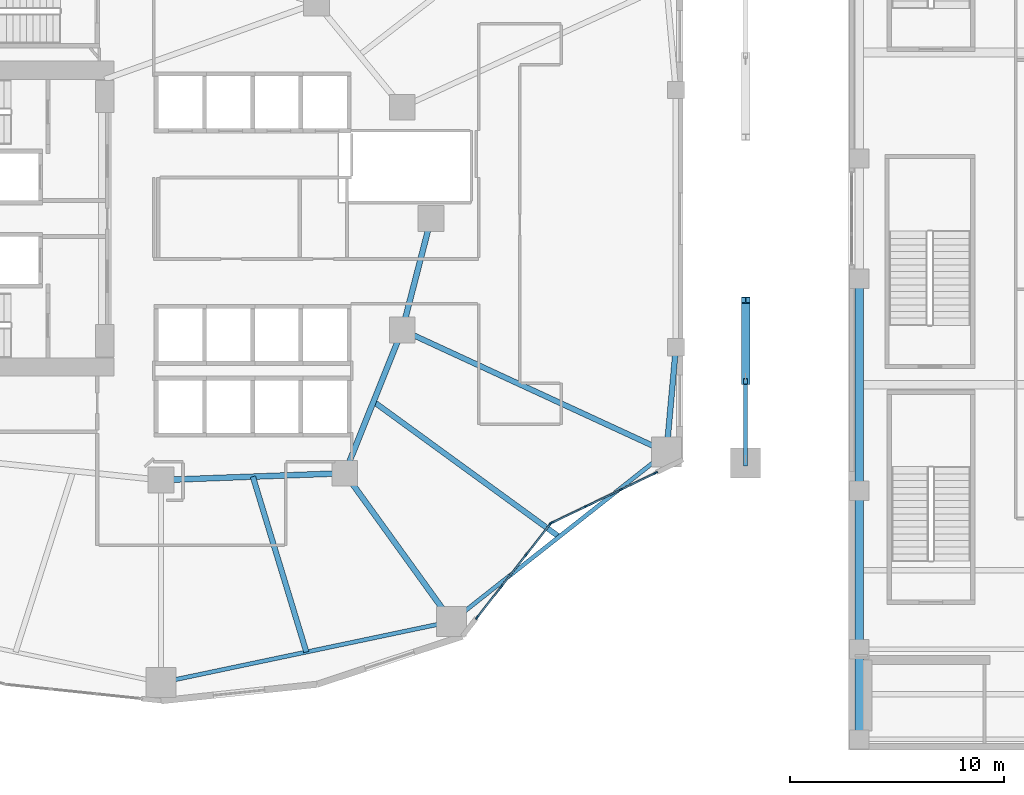
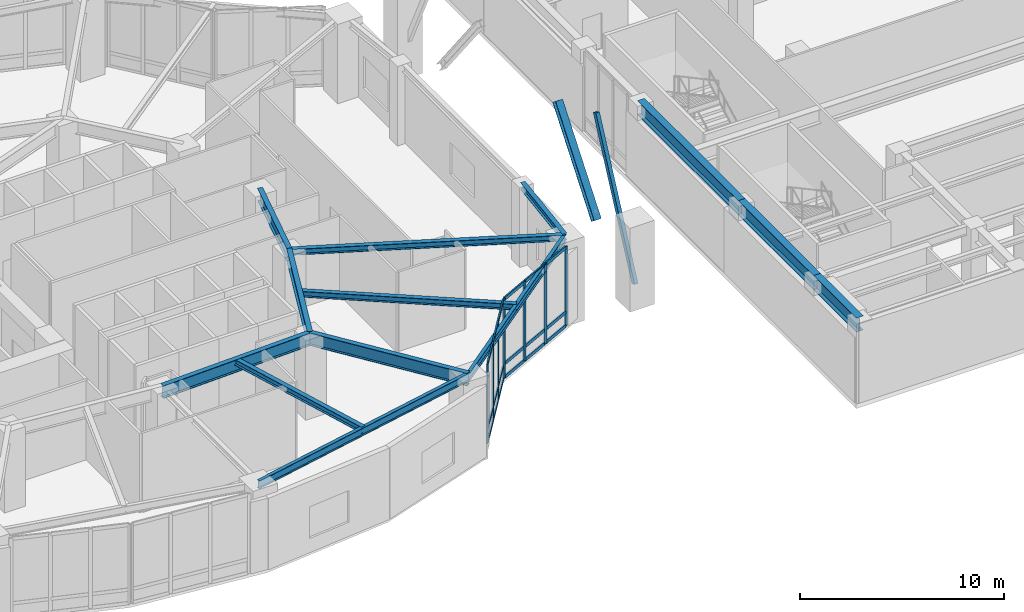
# One storey, part 4 of 24: 28 members, 13 beams, 2 elements without a shape of their own.
"""IFC4 building model written with IfcOpenShell, lengths in metres."""

from ifc_helpers import new_model, si_unit, direction, frame, origin, origin_2d, place, context, subcontext, project, spatial, rectangle, hollow_rectangle, i_section, extrude, material, layer, layer_set, material_profile, profile_set, type_object, element, aggregate, save


model = new_model("IFC4")

# Units and contexts
model_context = context("Model", 3, precision=1e-05, world=origin(), true_north=direction((0.0, 1.0)))
body_context = subcontext(model_context, "Body", "Model", "MODEL_VIEW")
ifc_project = project(units=[si_unit("LENGTHUNIT", "METRE"), si_unit("AREAUNIT", "SQUARE_METRE"), si_unit("VOLUMEUNIT", "CUBIC_METRE"), si_unit("PLANEANGLEUNIT", "RADIAN"), si_unit("MASSUNIT", "GRAM", prefix="KILO")], contexts=[model_context])

# Site, building, storey
site_placement = place(None, origin())
site = spatial("IfcSite", under=ifc_project, at=site_placement, CompositionType="ELEMENT")
building_placement = place(site_placement, origin())
building = spatial("IfcBuilding", under=site, at=building_placement, Name="Kolvaren Gate Tower and Convention Centre", CompositionType="ELEMENT")
storey_placement = place(building_placement, frame((0.0, 0.0, 10.0)))
storey = spatial("IfcBuildingStorey", under=building, at=storey_placement, Name="L02", CompositionType="ELEMENT", Elevation=10.0)

# Curtain wall, members
ifc_material_1 = material(Name="Anodized Architectural Aluminium Alloy 6063-T6", Category="aluminium")
ifc_layer = layer(ifc_material_1, 0.179931640625)
ifc_layer_set = layer_set([ifc_layer], Name="Anodized Architectural Aluminium Alloy 6063-T6")
curtain_wall_type = type_object("IfcCurtainWallType", Name="CW-POD-GLZ", PredefinedType="NOTDEFINED", material=ifc_layer_set)
curtain_wall_1_placement = place(storey_placement, origin())
curtain_wall_1 = element("IfcCurtainWall", 1, at=curtain_wall_1_placement, inside=storey, type_object=curtain_wall_type, Name="Tower L02 Unitised Curtain Wall CW-POD-GLZ Bay 20", PredefinedType="NOTDEFINED")
ifc_material_profile_1 = material_profile(ifc_material_1, rectangle(XDim=0.074951171875, YDim=0.199951171875, at=origin_2d()), Name="CW-MEM-MUL-200")
ifc_profile_set_1 = profile_set([ifc_material_profile_1], Name="Anodized Architectural Aluminium Alloy 6063-T6")
member_type_1 = type_object("IfcMemberType", Name="CW-MEM-MUL-200", PredefinedType="MULLION", material=ifc_profile_set_1)
member_1_placement = place(storey_placement, frame((44.8740234375, 8.39111328125, 0.0), z_axis=(0.0, 0.0, 1.0), x_axis=(-0.787413004527, 0.616425794643, 0.0)))
member_1 = element("IfcMember", 2, at=member_1_placement, type_object=member_type_1, Name="CW-01 mullion 1", PredefinedType="MULLION", context=body_context, shape_type="SweptSolid", body=[
    extrude(rectangle(XDim=0.074951171875, YDim=0.199951171875, at=origin_2d()), origin(), (0.0, 0.0, 1.0), 4.760009765625),
])
member_2_placement = place(storey_placement, frame((46.005615234375, 9.8369140625, 0.0), z_axis=(0.0, 0.0, 1.0), x_axis=(-0.787413004527, 0.616425794643, 0.0)))
member_2 = element("IfcMember", 3, at=member_2_placement, type_object=member_type_1, Name="CW-01 mullion 2", PredefinedType="MULLION", context=body_context, shape_type="SweptSolid", body=[
    extrude(rectangle(XDim=0.074951171875, YDim=0.199951171875, at=origin_2d()), origin(), (0.0, 0.0, 1.0), 4.760009765625),
])
member_3_placement = place(storey_placement, frame((47.160400390625, 11.31201171875, 0.0), z_axis=(0.0, 0.0, 1.0), x_axis=(-0.787413004527, 0.616425794643, 0.0)))
member_3 = element("IfcMember", 4, at=member_3_placement, type_object=member_type_1, Name="CW-01 mullion 3", PredefinedType="MULLION", context=body_context, shape_type="SweptSolid", body=[
    extrude(rectangle(XDim=0.074951171875, YDim=0.199951171875, at=origin_2d()), origin(), (0.0, 0.0, 1.0), 4.760009765625),
])
member_4_placement = place(storey_placement, frame((48.292236328125, 12.757568359375, 0.0), z_axis=(0.0, 0.0, 1.0), x_axis=(-0.787413004527, 0.616425794643, 0.0)))
member_4 = element("IfcMember", 5, at=member_4_placement, type_object=member_type_1, Name="CW-01 mullion 4", PredefinedType="MULLION", context=body_context, shape_type="SweptSolid", body=[
    extrude(rectangle(XDim=0.074951171875, YDim=0.199951171875, at=origin_2d()), origin(), (0.0, 0.0, 1.0), 4.760009765625),
])

curtain_wall_2_placement = place(storey_placement, origin())
curtain_wall_2 = element("IfcCurtainWall", 6, at=curtain_wall_2_placement, inside=storey, type_object=curtain_wall_type, Name="Tower L02 Unitised Curtain Wall CW-POD-GLZ Bay 21", PredefinedType="NOTDEFINED")
member_5_placement = place(storey_placement, frame((48.34912109375, 12.803466796875, 0.0), z_axis=(0.0, 0.0, 1.0), x_axis=(-0.433062688542, 0.90136380435, 0.0)))
member_5 = element("IfcMember", 7, at=member_5_placement, type_object=member_type_1, Name="CW-01 mullion 1", PredefinedType="MULLION", context=body_context, shape_type="SweptSolid", body=[
    extrude(rectangle(XDim=0.074951171875, YDim=0.199951171875, at=origin_2d()), origin(), (0.0, 0.0, 1.0), 4.760009765625),
])
member_6_placement = place(storey_placement, frame((49.955810546875, 13.575439453125, 0.0), z_axis=(0.0, 0.0, 1.0), x_axis=(-0.433062688542, 0.90136380435, 0.0)))
member_6 = element("IfcMember", 8, at=member_6_placement, type_object=member_type_1, Name="CW-01 mullion 2", PredefinedType="MULLION", context=body_context, shape_type="SweptSolid", body=[
    extrude(rectangle(XDim=0.074951171875, YDim=0.199951171875, at=origin_2d()), origin(), (0.0, 0.0, 1.0), 4.760009765625),
])
member_7_placement = place(storey_placement, frame((51.59619140625, 14.363525390625, 0.0), z_axis=(0.0, 0.0, 1.0), x_axis=(-0.433062688542, 0.90136380435, 0.0)))
member_7 = element("IfcMember", 9, at=member_7_placement, type_object=member_type_1, Name="CW-01 mullion 3", PredefinedType="MULLION", context=body_context, shape_type="SweptSolid", body=[
    extrude(rectangle(XDim=0.074951171875, YDim=0.199951171875, at=origin_2d()), origin(), (0.0, 0.0, 1.0), 4.760009765625),
])
member_8_placement = place(storey_placement, frame((53.202880859375, 15.135498046875, 0.0), z_axis=(0.0, 0.0, 1.0), x_axis=(-0.433062688542, 0.90136380435, 0.0)))
member_8 = element("IfcMember", 10, at=member_8_placement, type_object=member_type_1, Name="CW-01 mullion 4", PredefinedType="MULLION", context=body_context, shape_type="SweptSolid", body=[
    extrude(rectangle(XDim=0.074951171875, YDim=0.199951171875, at=origin_2d()), origin(), (0.0, 0.0, 1.0), 4.760009765625),
])

# Member
ifc_material_profile_2 = material_profile(ifc_material_1, rectangle(XDim=0.074951171875, YDim=0.199951171875, at=origin_2d()), Name="CW-MEM-TRN-200")
ifc_profile_set_2 = profile_set([ifc_material_profile_2], Name="Anodized Architectural Aluminium Alloy 6063-T6")
member_type_2 = type_object("IfcMemberType", Name="CW-MEM-TRN-200", PredefinedType="USERDEFINED", material=ifc_profile_set_2)
member_9_placement = place(storey_placement, frame((44.89697265625, 8.420654296875, 0.03759765625), z_axis=(0.616375545802, 0.787452339216, 0.0), x_axis=(-0.787452339216, 0.616375545802, 0.0)))
member_9 = element("IfcMember", 11, at=member_9_placement, type_object=member_type_2, Name="CW-01 transom 1.1", ObjectType="TRANSOM", PredefinedType="USERDEFINED", context=body_context, shape_type="SweptSolid", body=[
    extrude(rectangle(XDim=0.074951171875, YDim=0.199951171875, at=origin_2d()), origin(), (0.0, 0.0, 1.0), 1.760986328125),
])

member_10_placement = place(storey_placement, frame((44.89697265625, 8.420654296875, 0.85009765625), z_axis=(0.616375545802, 0.787452339216, 0.0), x_axis=(-0.787452339216, 0.616375545802, 0.0)))
member_10 = element("IfcMember", 12, at=member_10_placement, type_object=member_type_2, Name="CW-01 transom 1.2", ObjectType="TRANSOM", PredefinedType="USERDEFINED", context=body_context, shape_type="SweptSolid", body=[
    extrude(rectangle(XDim=0.074951171875, YDim=0.199951171875, at=origin_2d()), origin(), (0.0, 0.0, 1.0), 1.760986328125),
])

member_11_placement = place(storey_placement, frame((44.89697265625, 8.420654296875, 4.722412109375), z_axis=(0.616375545802, 0.787452339216, 0.0), x_axis=(-0.787452339216, 0.616375545802, 0.0)))
member_11 = element("IfcMember", 13, at=member_11_placement, type_object=member_type_2, Name="CW-01 transom 1.3", ObjectType="TRANSOM", PredefinedType="USERDEFINED", context=body_context, shape_type="SweptSolid", body=[
    extrude(rectangle(XDim=0.074951171875, YDim=0.199951171875, at=origin_2d()), origin(), (0.0, 0.0, 1.0), 1.760986328125),
])

member_12_placement = place(storey_placement, frame((46.02880859375, 9.866455078125, 0.03759765625), z_axis=(0.616465649316, 0.787381802694, 0.0), x_axis=(-0.787381802694, 0.616465649316, 0.0)))
member_12 = element("IfcMember", 14, at=member_12_placement, type_object=member_type_2, Name="CW-01 transom 2.1", ObjectType="TRANSOM", PredefinedType="USERDEFINED", context=body_context, shape_type="SweptSolid", body=[
    extrude(rectangle(XDim=0.074951171875, YDim=0.199951171875, at=origin_2d()), origin(), (0.0, 0.0, 1.0), 1.79833984375),
])

member_13_placement = place(storey_placement, frame((46.02880859375, 9.866455078125, 0.85009765625), z_axis=(0.616465649316, 0.787381802694, 0.0), x_axis=(-0.787381802694, 0.616465649316, 0.0)))
member_13 = element("IfcMember", 15, at=member_13_placement, type_object=member_type_2, Name="CW-01 transom 2.2", ObjectType="TRANSOM", PredefinedType="USERDEFINED", context=body_context, shape_type="SweptSolid", body=[
    extrude(rectangle(XDim=0.074951171875, YDim=0.199951171875, at=origin_2d()), origin(), (0.0, 0.0, 1.0), 1.79833984375),
])

member_14_placement = place(storey_placement, frame((46.02880859375, 9.866455078125, 4.722412109375), z_axis=(0.616465649316, 0.787381802694, 0.0), x_axis=(-0.787381802694, 0.616465649316, 0.0)))
member_14 = element("IfcMember", 16, at=member_14_placement, type_object=member_type_2, Name="CW-01 transom 2.3", ObjectType="TRANSOM", PredefinedType="USERDEFINED", context=body_context, shape_type="SweptSolid", body=[
    extrude(rectangle(XDim=0.074951171875, YDim=0.199951171875, at=origin_2d()), origin(), (0.0, 0.0, 1.0), 1.79833984375),
])

member_15_placement = place(storey_placement, frame((47.18359375, 11.341552734375, 0.03759765625), z_axis=(0.616442840137, 0.787399660175, 0.0), x_axis=(-0.787399660175, 0.616442840137, 0.0)))
member_15 = element("IfcMember", 17, at=member_15_placement, type_object=member_type_2, Name="CW-01 transom 3.1", ObjectType="TRANSOM", PredefinedType="USERDEFINED", context=body_context, shape_type="SweptSolid", body=[
    extrude(rectangle(XDim=0.074951171875, YDim=0.199951171875, at=origin_2d()), origin(), (0.0, 0.0, 1.0), 1.7607421875),
])

member_16_placement = place(storey_placement, frame((47.18359375, 11.341552734375, 0.85009765625), z_axis=(0.616442840137, 0.787399660175, 0.0), x_axis=(-0.787399660175, 0.616442840137, 0.0)))
member_16 = element("IfcMember", 18, at=member_16_placement, type_object=member_type_2, Name="CW-01 transom 3.2", ObjectType="TRANSOM", PredefinedType="USERDEFINED", context=body_context, shape_type="SweptSolid", body=[
    extrude(rectangle(XDim=0.074951171875, YDim=0.199951171875, at=origin_2d()), origin(), (0.0, 0.0, 1.0), 1.7607421875),
])

member_17_placement = place(storey_placement, frame((47.18359375, 11.341552734375, 4.722412109375), z_axis=(0.616442840137, 0.787399660175, 0.0), x_axis=(-0.787399660175, 0.616442840137, 0.0)))
member_17 = element("IfcMember", 19, at=member_17_placement, type_object=member_type_2, Name="CW-01 transom 3.3", ObjectType="TRANSOM", PredefinedType="USERDEFINED", context=body_context, shape_type="SweptSolid", body=[
    extrude(rectangle(XDim=0.074951171875, YDim=0.199951171875, at=origin_2d()), origin(), (0.0, 0.0, 1.0), 1.7607421875),
])

aggregate(curtain_wall_1, [member_1, member_2, member_3, member_4, member_9, member_10, member_11, member_12, member_13, member_14, member_15, member_16, member_17])

member_18_placement = place(storey_placement, frame((48.3828125, 12.819580078125, 0.03759765625), z_axis=(0.9013511863, 0.433088950397, 0.0), x_axis=(-0.433088950397, 0.9013511863, 0.0)))
member_18 = element("IfcMember", 20, at=member_18_placement, type_object=member_type_2, Name="CW-01 transom 1.1", ObjectType="TRANSOM", PredefinedType="USERDEFINED", context=body_context, shape_type="SweptSolid", body=[
    extrude(rectangle(XDim=0.074951171875, YDim=0.199951171875, at=origin_2d()), origin(), (0.0, 0.0, 1.0), 1.70751953125),
])

member_19_placement = place(storey_placement, frame((48.3828125, 12.819580078125, 0.85009765625), z_axis=(0.9013511863, 0.433088950397, 0.0), x_axis=(-0.433088950397, 0.9013511863, 0.0)))
member_19 = element("IfcMember", 21, at=member_19_placement, type_object=member_type_2, Name="CW-01 transom 1.2", ObjectType="TRANSOM", PredefinedType="USERDEFINED", context=body_context, shape_type="SweptSolid", body=[
    extrude(rectangle(XDim=0.074951171875, YDim=0.199951171875, at=origin_2d()), origin(), (0.0, 0.0, 1.0), 1.70751953125),
])

member_20_placement = place(storey_placement, frame((48.3828125, 12.819580078125, 4.722412109375), z_axis=(0.9013511863, 0.433088950397, 0.0), x_axis=(-0.433088950397, 0.9013511863, 0.0)))
member_20 = element("IfcMember", 22, at=member_20_placement, type_object=member_type_2, Name="CW-01 transom 1.3", ObjectType="TRANSOM", PredefinedType="USERDEFINED", context=body_context, shape_type="SweptSolid", body=[
    extrude(rectangle(XDim=0.074951171875, YDim=0.199951171875, at=origin_2d()), origin(), (0.0, 0.0, 1.0), 1.70751953125),
])

member_21_placement = place(storey_placement, frame((49.989501953125, 13.591552734375, 0.03759765625), z_axis=(0.901339603895, 0.433113055046, 0.0), x_axis=(-0.433113055046, 0.901339603895, 0.0)))
member_21 = element("IfcMember", 23, at=member_21_placement, type_object=member_type_2, Name="CW-01 transom 2.1", ObjectType="TRANSOM", PredefinedType="USERDEFINED", context=body_context, shape_type="SweptSolid", body=[
    extrude(rectangle(XDim=0.074951171875, YDim=0.199951171875, at=origin_2d()), origin(), (0.0, 0.0, 1.0), 1.7451171875),
])

member_22_placement = place(storey_placement, frame((49.989501953125, 13.591552734375, 0.85009765625), z_axis=(0.901339603895, 0.433113055046, 0.0), x_axis=(-0.433113055046, 0.901339603895, 0.0)))
member_22 = element("IfcMember", 24, at=member_22_placement, type_object=member_type_2, Name="CW-01 transom 2.2", ObjectType="TRANSOM", PredefinedType="USERDEFINED", context=body_context, shape_type="SweptSolid", body=[
    extrude(rectangle(XDim=0.074951171875, YDim=0.199951171875, at=origin_2d()), origin(), (0.0, 0.0, 1.0), 1.7451171875),
])

member_23_placement = place(storey_placement, frame((49.989501953125, 13.591552734375, 4.722412109375), z_axis=(0.901339603895, 0.433113055046, 0.0), x_axis=(-0.433113055046, 0.901339603895, 0.0)))
member_23 = element("IfcMember", 25, at=member_23_placement, type_object=member_type_2, Name="CW-01 transom 2.3", ObjectType="TRANSOM", PredefinedType="USERDEFINED", context=body_context, shape_type="SweptSolid", body=[
    extrude(rectangle(XDim=0.074951171875, YDim=0.199951171875, at=origin_2d()), origin(), (0.0, 0.0, 1.0), 1.7451171875),
])

member_24_placement = place(storey_placement, frame((51.630126953125, 14.3798828125, 0.03759765625), z_axis=(0.901406997018, 0.432972777121, 0.0), x_axis=(-0.432972777121, 0.901406997018, 0.0)))
member_24 = element("IfcMember", 26, at=member_24_placement, type_object=member_type_2, Name="CW-01 transom 3.1", ObjectType="TRANSOM", PredefinedType="USERDEFINED", context=body_context, shape_type="SweptSolid", body=[
    extrude(rectangle(XDim=0.074951171875, YDim=0.199951171875, at=origin_2d()), origin(), (0.0, 0.0, 1.0), 1.70751953125),
])

member_25_placement = place(storey_placement, frame((51.630126953125, 14.3798828125, 0.85009765625), z_axis=(0.901406997018, 0.432972777121, 0.0), x_axis=(-0.432972777121, 0.901406997018, 0.0)))
member_25 = element("IfcMember", 27, at=member_25_placement, type_object=member_type_2, Name="CW-01 transom 3.2", ObjectType="TRANSOM", PredefinedType="USERDEFINED", context=body_context, shape_type="SweptSolid", body=[
    extrude(rectangle(XDim=0.074951171875, YDim=0.199951171875, at=origin_2d()), origin(), (0.0, 0.0, 1.0), 1.70751953125),
])

member_26_placement = place(storey_placement, frame((51.630126953125, 14.3798828125, 4.722412109375), z_axis=(0.901406997018, 0.432972777121, 0.0), x_axis=(-0.432972777121, 0.901406997018, 0.0)))
member_26 = element("IfcMember", 28, at=member_26_placement, type_object=member_type_2, Name="CW-01 transom 3.3", ObjectType="TRANSOM", PredefinedType="USERDEFINED", context=body_context, shape_type="SweptSolid", body=[
    extrude(rectangle(XDim=0.074951171875, YDim=0.199951171875, at=origin_2d()), origin(), (0.0, 0.0, 1.0), 1.70751953125),
])

aggregate(curtain_wall_2, [member_5, member_6, member_7, member_8, member_18, member_19, member_20, member_21, member_22, member_23, member_24, member_25, member_26])

# Beams
ifc_material_2 = material(Name="Structural steel ASTM A992 Grade 345 MPa", Category="steel")
ifc_material_profile_3 = material_profile(ifc_material_2, i_section(OverallWidth=0.260986328125, OverallDepth=0.419921875, WebThickness=0.01171875, FlangeThickness=0.019287109375, at=origin_2d()), Name="W410X114")
ifc_profile_set_3 = profile_set([ifc_material_profile_3], Name="Structural steel ASTM A992 Grade 345 MPa")
beam_type_1 = type_object("IfcBeamType", Name="STR-BM-W410X114", PredefinedType="BEAM", material=ifc_profile_set_3)
beam_1_placement = place(storey_placement, frame((53.710205078125, 16.1064453125, 4.550048828125), z_axis=(0.089491797753, 0.995987559227, 0.0), x_axis=(-0.995987559227, 0.089491797753, 0.0)))
element("IfcBeam", 29, at=beam_1_placement, inside=storey, type_object=beam_type_1, Name="Tower L02 Recessed Arch Edge Spandrel AE-1", PredefinedType="BEAM", context=body_context, shape_type="SweptSolid", body=[
    extrude(i_section(OverallWidth=0.260986328125, OverallDepth=0.419921875, WebThickness=0.01171875, FlangeThickness=0.019287109375, at=origin_2d()), origin(), (0.0, 0.0, 1.0), 4.913330078125),
])
ifc_material_profile_4 = material_profile(ifc_material_2, i_section(OverallWidth=0.26806640625, OverallDepth=0.758056640625, WebThickness=0.016357421875, FlangeThickness=0.025390625, at=origin_2d()), Name="W760X220")
ifc_profile_set_4 = profile_set([ifc_material_profile_4], Name="Structural steel ASTM A992 Grade 345 MPa")
beam_type_2 = type_object("IfcBeamType", Name="STR-BM-W760X220", PredefinedType="BEAM", material=ifc_profile_set_4)
beam_2_placement = place(storey_placement, frame((42.72509765625, 27.0, 4.381103515625), z_axis=(-0.250091133936, -0.968222301296, 0.0), x_axis=(0.968222301296, -0.250091133936, 0.0)))
element("IfcBeam", 30, at=beam_2_placement, inside=storey, type_object=beam_type_2, Name="Tower L02 Primary Ring Girder G-01", PredefinedType="BEAM", context=body_context, shape_type="SweptSolid", body=[
    extrude(i_section(OverallWidth=0.26806640625, OverallDepth=0.758056640625, WebThickness=0.016357421875, FlangeThickness=0.025390625, at=origin_2d()), origin(), (0.0, 0.0, 1.0), 5.3701171875),
])
beam_3_placement = place(storey_placement, frame((30.125, 14.800048828125, 4.381103515625), z_axis=(0.999301712453, 0.037364254142, 0.0), x_axis=(-0.037364254142, 0.999301712453, 0.0)))
element("IfcBeam", 31, at=beam_3_placement, inside=storey, type_object=beam_type_2, Name="Tower L02 Primary Ring Girder G-08", PredefinedType="BEAM", context=body_context, shape_type="SweptSolid", body=[
    extrude(i_section(OverallWidth=0.26806640625, OverallDepth=0.758056640625, WebThickness=0.016357421875, FlangeThickness=0.025390625, at=origin_2d()), origin(), (0.0, 0.0, 1.0), 8.579345703125),
])
beam_4_placement = place(storey_placement, frame((38.6982421875, 15.12060546875, 4.381103515625), z_axis=(0.372811100169, 0.927907260232, 0.0), x_axis=(-0.927907260232, 0.372811100169, 0.0)))
element("IfcBeam", 32, at=beam_4_placement, inside=storey, type_object=beam_type_2, Name="Tower L02 Primary Ring Girder G-09", PredefinedType="BEAM", context=body_context, shape_type="SweptSolid", body=[
    extrude(i_section(OverallWidth=0.26806640625, OverallDepth=0.758056640625, WebThickness=0.016357421875, FlangeThickness=0.025390625, at=origin_2d()), origin(), (0.0, 0.0, 1.0), 7.198974609375),
])
beam_5_placement = place(storey_placement, frame((38.6982421875, 15.12060546875, 4.381103515625), z_axis=(0.585208374732, -0.810882949718, 0.0), x_axis=(0.810882949718, 0.585208374732, 0.0)))
element("IfcBeam", 33, at=beam_5_placement, inside=storey, type_object=beam_type_2, Name="Tower L02 Radial Floor Girder RB-11", PredefinedType="BEAM", context=body_context, shape_type="SweptSolid", body=[
    extrude(i_section(OverallWidth=0.26806640625, OverallDepth=0.758056640625, WebThickness=0.016357421875, FlangeThickness=0.025390625, at=origin_2d()), origin(), (0.0, 0.0, 1.0), 8.5302734375),
])
ifc_material_profile_5 = material_profile(ifc_material_2, i_section(OverallWidth=0.39990234375, OverallDepth=0.85498046875, WebThickness=0.018310546875, FlangeThickness=0.029296875, at=origin_2d()), Name="W840X299")
ifc_profile_set_5 = profile_set([ifc_material_profile_5], Name="Structural steel ASTM A992 Grade 345 MPa")
beam_type_3 = type_object("IfcBeamType", Name="STR-BM-W840X299", PredefinedType="BEAM", material=ifc_profile_set_5)
beam_6_placement = place(storey_placement, frame((62.699951171875, 2.699951171875, 4.33251953125), z_axis=(0.0, 1.0, 0.0), x_axis=(-1.0, 0.0, 0.0)))
element("IfcBeam", 34, at=beam_6_placement, inside=storey, type_object=beam_type_3, Name="Convention L02 Longitudinal Girder CG-11", PredefinedType="BEAM", context=body_context, shape_type="SweptSolid", body=[
    extrude(i_section(OverallWidth=0.39990234375, OverallDepth=0.85498046875, WebThickness=0.018310546875, FlangeThickness=0.029296875, at=origin_2d()), origin(), (0.0, 0.0, 1.0), 4.199951171875),
])
beam_7_placement = place(storey_placement, frame((62.699951171875, 6.89990234375, 4.33251953125), z_axis=(0.0, 1.0, 0.0), x_axis=(-1.0, 0.0, 0.0)))
element("IfcBeam", 35, at=beam_7_placement, inside=storey, type_object=beam_type_3, Name="Convention L02 Longitudinal Girder CG-12", PredefinedType="BEAM", context=body_context, shape_type="SweptSolid", body=[
    extrude(i_section(OverallWidth=0.39990234375, OverallDepth=0.85498046875, WebThickness=0.018310546875, FlangeThickness=0.029296875, at=origin_2d()), origin(), (0.0, 0.0, 1.0), 7.400146484375),
])
beam_8_placement = place(storey_placement, frame((62.699951171875, 14.300048828125, 4.33251953125), z_axis=(0.0, 1.0, 0.0), x_axis=(-1.0, 0.0, 0.0)))
element("IfcBeam", 36, at=beam_8_placement, inside=storey, type_object=beam_type_3, Name="Convention L02 Longitudinal Girder CG-13", PredefinedType="BEAM", context=body_context, shape_type="SweptSolid", body=[
    extrude(i_section(OverallWidth=0.39990234375, OverallDepth=0.85498046875, WebThickness=0.018310546875, FlangeThickness=0.029296875, at=origin_2d()), origin(), (0.0, 0.0, 1.0), 9.89990234375),
])

# Member
ifc_material_profile_6 = material_profile(ifc_material_2, i_section(OverallWidth=0.39501953125, OverallDepth=0.3798828125, WebThickness=0.018798828125, FlangeThickness=0.0302734375, at=origin_2d()), Name="W360X237")
ifc_profile_set_6 = profile_set([ifc_material_profile_6], Name="Structural steel ASTM A992 Grade 345 MPa")
member_type_3 = type_object("IfcMemberType", Name="STR-CH-W360X237", PredefinedType="CHORD", material=ifc_profile_set_6)
member_27_placement = place(storey_placement, frame((57.39990234375, 19.39990234375, 2.288818359375), z_axis=(0.0, 0.616493002987, 0.78736038589), x_axis=(-1.0, 0.0, 0.0)))
element("IfcMember", 37, at=member_27_placement, inside=storey, type_object=member_type_3, Name="Monumental East Portal Parabolic Arch Rib AR-02", PredefinedType="CHORD", context=body_context, shape_type="SweptSolid", body=[
    extrude(i_section(OverallWidth=0.39501953125, OverallDepth=0.3798828125, WebThickness=0.018798828125, FlangeThickness=0.0302734375, at=origin_2d()), origin(), (0.0, 0.0, 1.0), 6.1640625),
])

# Beams
ifc_material_profile_7 = material_profile(ifc_material_2, i_section(OverallWidth=0.2548828125, OverallDepth=0.35693359375, WebThickness=0.010498046875, FlangeThickness=0.018310546875, at=origin_2d()), Name="W360X101")
ifc_profile_set_7 = profile_set([ifc_material_profile_7], Name="Structural steel ASTM A992 Grade 345 MPa")
beam_type_4 = type_object("IfcBeamType", Name="STR-JS-W360X101", PredefinedType="JOIST", material=ifc_profile_set_7)
beam_9_placement = place(storey_placement, frame((41.382080078125, 21.800537109375, 4.58154296875), z_axis=(0.907842006347, -0.419312403241, 0.0), x_axis=(0.419312403241, 0.907842006347, 0.0)))
element("IfcBeam", 38, at=beam_9_placement, inside=storey, type_object=beam_type_4, Name="Tower L02 Radial Floor Girder RB-12", PredefinedType="JOIST", context=body_context, shape_type="SweptSolid", body=[
    extrude(i_section(OverallWidth=0.2548828125, OverallDepth=0.35693359375, WebThickness=0.010498046875, FlangeThickness=0.018310546875, at=origin_2d()), origin(), (0.0, 0.0, 1.0), 13.57958984375),
])
beam_10_placement = place(storey_placement, frame((34.41162109375, 14.960205078125, 4.58154296875), z_axis=(0.291750890749, -0.956494337541, 0.0), x_axis=(0.956494337541, 0.291750890749, 0.0)))
element("IfcBeam", 39, at=beam_10_placement, inside=storey, type_object=beam_type_4, Name="Tower L02 Secondary Composite Floor Joist J-10.1", PredefinedType="JOIST", context=body_context, shape_type="SweptSolid", body=[
    extrude(i_section(OverallWidth=0.2548828125, OverallDepth=0.35693359375, WebThickness=0.010498046875, FlangeThickness=0.018310546875, at=origin_2d()), origin(), (0.0, 0.0, 1.0), 8.5556640625),
])
beam_11_placement = place(storey_placement, frame((40.040283203125, 18.46044921875, 4.58154296875), z_axis=(0.808411716387, -0.588617445212, 0.0), x_axis=(0.588617445212, 0.808411716387, 0.0)))
element("IfcBeam", 40, at=beam_11_placement, inside=storey, type_object=beam_type_4, Name="Tower L02 Secondary Composite Floor Joist J-11.1", PredefinedType="JOIST", context=body_context, shape_type="SweptSolid", body=[
    extrude(i_section(OverallWidth=0.2548828125, OverallDepth=0.35693359375, WebThickness=0.010498046875, FlangeThickness=0.018310546875, at=origin_2d()), origin(), (0.0, 0.0, 1.0), 10.712158203125),
])
ifc_material_profile_8 = material_profile(ifc_material_2, i_section(OverallWidth=0.194091796875, OverallDepth=0.468994140625, WebThickness=0.0126953125, FlangeThickness=0.0205078125, at=origin_2d()), Name="W460X106")
ifc_profile_set_8 = profile_set([ifc_material_profile_8], Name="Structural steel ASTM A992 Grade 345 MPa")
beam_type_5 = type_object("IfcBeamType", Name="STR-SP-W460X106", PredefinedType="SPANDREL", material=ifc_profile_set_8)
beam_12_placement = place(storey_placement, frame((30.125, 5.35009765625, 4.525390625), z_axis=(0.978583407863, 0.205850707685, 0.0), x_axis=(-0.205850707685, 0.978583407863, 0.0)))
element("IfcBeam", 41, at=beam_12_placement, inside=storey, type_object=beam_type_5, Name="Tower L02 Perimeter Spandrel Beam SP-10", PredefinedType="SPANDREL", context=body_context, shape_type="SweptSolid", body=[
    extrude(i_section(OverallWidth=0.194091796875, OverallDepth=0.468994140625, WebThickness=0.0126953125, FlangeThickness=0.0205078125, at=origin_2d()), origin(), (0.0, 0.0, 1.0), 13.862060546875),
])
beam_13_placement = place(storey_placement, frame((43.690185546875, 8.20361328125, 4.525390625), z_axis=(0.785176498861, 0.619272044933, 0.0), x_axis=(-0.619272044933, 0.785176498861, 0.0)))
element("IfcBeam", 42, at=beam_13_placement, inside=storey, type_object=beam_type_5, Name="Tower L02 Perimeter Spandrel Beam SP-11", PredefinedType="SPANDREL", context=body_context, shape_type="SweptSolid", body=[
    extrude(i_section(OverallWidth=0.194091796875, OverallDepth=0.468994140625, WebThickness=0.0126953125, FlangeThickness=0.0205078125, at=origin_2d()), origin(), (0.0, 0.0, 1.0), 12.761474609375),
])

# Member
ifc_material_3 = material(Name="Structural steel ASTM A500 Grade C 345 MPa", Category="steel")
ifc_material_profile_9 = material_profile(ifc_material_3, hollow_rectangle(XDim=0.202880859375, YDim=0.304931640625, WallThickness=0.0126953125, at=origin_2d()), Name="HSS305X203X12.7")
ifc_profile_set_9 = profile_set([ifc_material_profile_9], Name="Structural steel ASTM A500 Grade C 345 MPa")
member_type_4 = type_object("IfcMemberType", Name="STR-ST-HSS305X203", PredefinedType="STRUT", material=ifc_profile_set_9)
member_28_placement = place(storey_placement, frame((57.39990234375, 15.60009765625, 0.780029296875), z_axis=(0.0, 0.429916424758, 0.902868687974), x_axis=(-1.0, 0.0, 0.0)))
element("IfcMember", 43, at=member_28_placement, inside=storey, type_object=member_type_4, Name="Portal Arch Spandrel Diagonal Strut ASD-01", PredefinedType="STRUT", context=body_context, shape_type="SweptSolid", body=[
    extrude(hollow_rectangle(XDim=0.202880859375, YDim=0.304931640625, WallThickness=0.0126953125, at=origin_2d()), origin(), (0.0, 0.0, 1.0), 8.83837890625),
])

save(model, "model.ifc")
